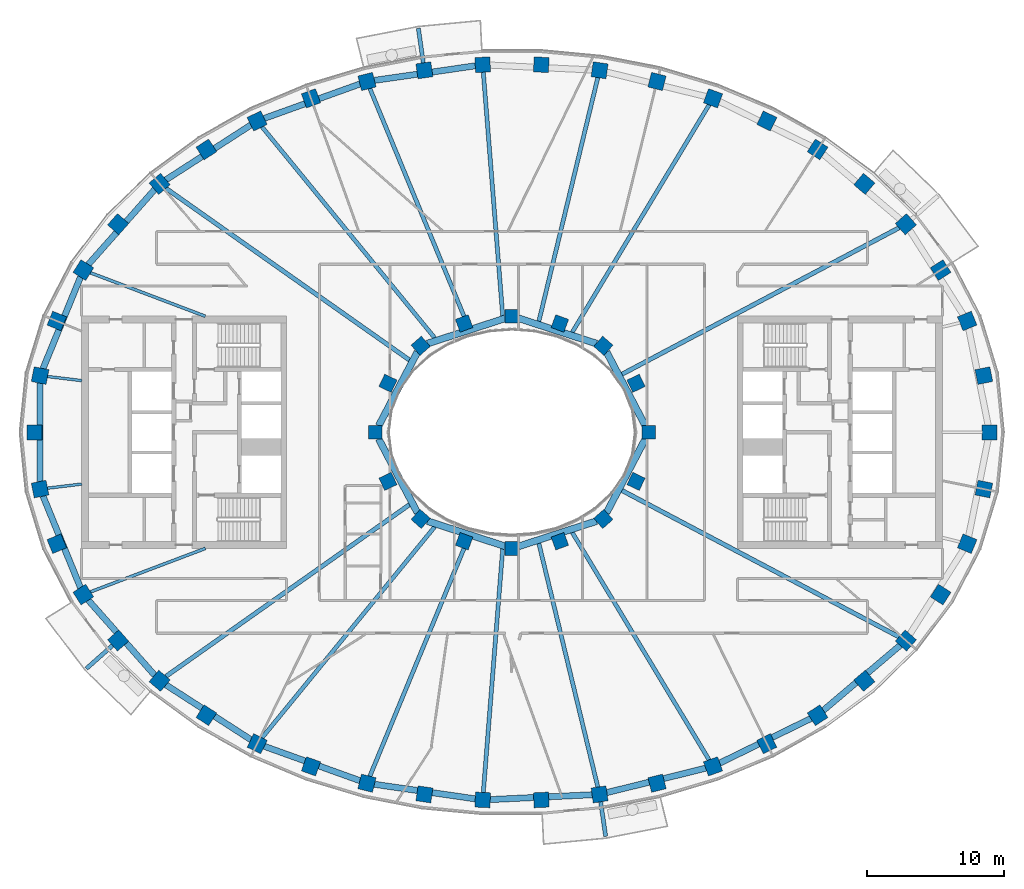
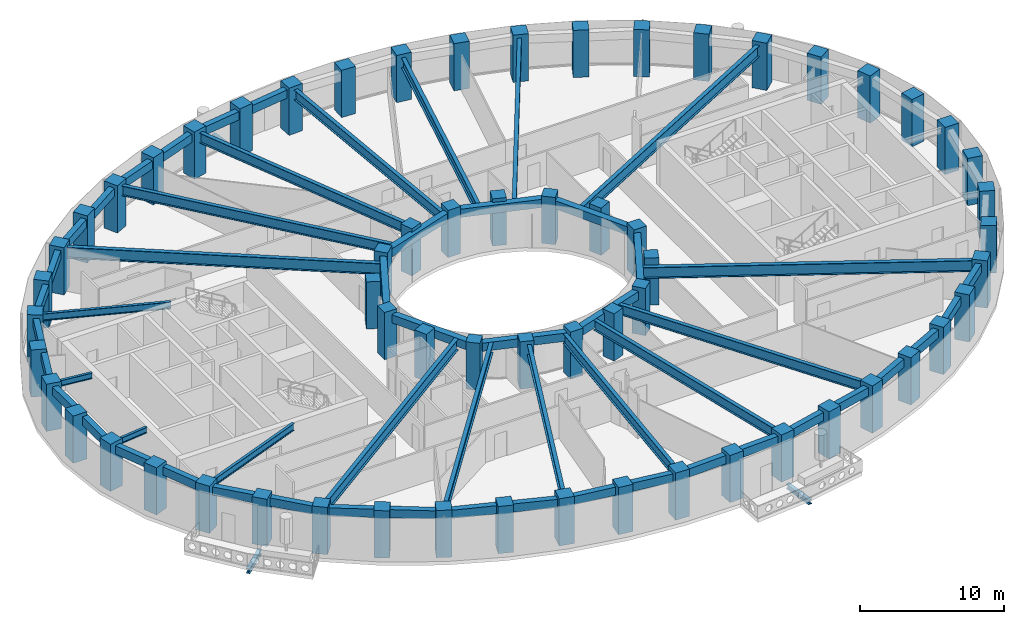
# One storey, part 1 of 16: 62 columns, 44 beams.
"""IFC4 building model written with IfcOpenShell, lengths in metres."""

import ifcopenshell
import ifcopenshell.guid

model = None  # the IFC model being written
_history = None  # IfcOwnerHistory: only IFC2X3 demands one
_inside = {}  # id of a spatial element -> (the spatial element, [elements in it])
_under = {}  # id of a project, library or spatial element -> (it, [spatial elements below it])
_declared = {}  # id of a project -> (the project, [libraries it declares])
_typed = {}  # id of a type object -> (the type object, [elements of that type])
_made_of = {}  # id of a material, layer set ... -> (it, [elements and type objects made of it])


def new_model(schema):
    """Start an empty IFC model of exactly this schema.

    Asked for "IFC4X3", IfcOpenShell would pick the latest addendum, in which some entities
    have other attributes; the version numbers below select the first issue.
    IFC2X3 requires an IfcOwnerHistory on every rooted entity: one is made here for all.
    """
    global model, _history
    if schema == "IFC4X3":
        model = ifcopenshell.file(schema_version=(4, 3, 0, 0))
    else:
        model = ifcopenshell.file(schema=schema)
    _inside.clear()
    _under.clear()
    _declared.clear()
    _typed.clear()
    _made_of.clear()
    _history = None
    if model.schema == "IFC2X3":
        org = make("IfcOrganization", Name="unknown")
        user = make(
            "IfcPersonAndOrganization",
            ThePerson=make("IfcPerson", FamilyName="unknown"),
            TheOrganization=org,
        )
        app = make(
            "IfcApplication",
            ApplicationDeveloper=org,
            Version="unknown",
            ApplicationFullName="unknown",
            ApplicationIdentifier="unknown",
        )
        _history = make(
            "IfcOwnerHistory",
            OwningUser=user,
            OwningApplication=app,
            ChangeAction="ADDED",
            CreationDate=0,
        )
    return model


def make(cls, **values):
    """One entity of the class cls with the attributes given. An attribute that is None is left unset."""
    return model.create_entity(
        cls, **{name: value for name, value in values.items() if value is not None}
    )


def rooted(cls, **values):
    """An entity with a GlobalId (a new one), such as an element, a storey or a relation."""
    return make(cls, GlobalId=ifcopenshell.guid.new(), OwnerHistory=_history, **values)


def si_unit(unit_type, name, prefix=None):
    """IfcSIUnit, for example si_unit("LENGTHUNIT", "METRE", prefix="MILLI")."""
    return make("IfcSIUnit", UnitType=unit_type, Prefix=prefix, Name=name)


def assignment(units):
    """IfcUnitAssignment: the units of a project."""
    return None if units is None else make("IfcUnitAssignment", Units=units)


def point(xyz):
    """IfcCartesianPoint."""
    return None if xyz is None else make("IfcCartesianPoint", Coordinates=xyz)


def direction(xyz):
    """IfcDirection."""
    return None if xyz is None else make("IfcDirection", DirectionRatios=xyz)


def frame(location, z_axis=None, x_axis=None):
    """IfcAxis2Placement3D, a coordinate frame: its origin and axes. An axis left out is left unset."""
    return make(
        "IfcAxis2Placement3D",
        Location=point(location),
        Axis=direction(z_axis),
        RefDirection=direction(x_axis),
    )


def frame_2d(location, x_axis=None):
    """IfcAxis2Placement2D, a coordinate frame in the plane: its origin and x axis."""
    return make(
        "IfcAxis2Placement2D", Location=point(location), RefDirection=direction(x_axis)
    )


def origin():
    """The frame at (0, 0, 0) with its axes left unset."""
    return frame((0.0, 0.0, 0.0))


def origin_2d():
    """The frame at (0, 0) in the plane with its x axis left unset."""
    return frame_2d((0.0, 0.0))


def place(relative_to, where):
    """IfcLocalPlacement: puts the frame where relative to a parent placement (None: the world)."""
    return make(
        "IfcLocalPlacement", PlacementRelTo=relative_to, RelativePlacement=where
    )


def context(
    kind, dimensions, precision=None, world=None, true_north=None, identifier=None
):
    """IfcGeometricRepresentationContext, for example the 3D "Model" context."""
    return make(
        "IfcGeometricRepresentationContext",
        ContextIdentifier=identifier,
        ContextType=kind,
        CoordinateSpaceDimension=dimensions,
        Precision=precision,
        WorldCoordinateSystem=world,
        TrueNorth=true_north,
    )


def subcontext(parent, identifier, kind, view, scale=None):
    """IfcGeometricRepresentationSubContext, for example "Body" below "Model"."""
    return make(
        "IfcGeometricRepresentationSubContext",
        ContextIdentifier=identifier,
        ContextType=kind,
        ParentContext=parent,
        TargetScale=scale,
        TargetView=view,
    )


def project(units=None, contexts=None):
    """IfcProject with its units and contexts."""
    return rooted(
        "IfcProject",
        Name="project",
        RepresentationContexts=contexts,
        UnitsInContext=assignment(units),
    )


def spatial(cls, under=None, at=None, **own):
    """A site, building, storey or space (cls), placed at a placement, below another one or the project."""
    s = rooted(cls, ObjectPlacement=at, **own)
    if under is not None:
        _under.setdefault(under.id(), (under, []))[1].append(s)
    return s


def profile(cls, at=None, kind="AREA", **sizes):
    """A parametric profile (cls). Its sizes go by their IFC names, for example OverallWidth=200.0."""
    return make(cls, ProfileType=kind, Position=at, **sizes)


def rectangle(**sizes):
    """IfcRectangleProfileDef."""
    return profile("IfcRectangleProfileDef", **sizes)


def i_section(**sizes):
    """IfcIShapeProfileDef."""
    return profile("IfcIShapeProfileDef", **sizes)


def extrude(swept, where, along, depth):
    """IfcExtrudedAreaSolid: the profile swept, set in the frame where, extruded along a direction by depth."""
    return make(
        "IfcExtrudedAreaSolid",
        SweptArea=swept,
        Position=where,
        ExtrudedDirection=direction(along),
        Depth=depth,
    )


def shape(context_of_items, identifier, shape_type, items):
    """IfcShapeRepresentation: the items that make up one representation, for example the "Body"."""
    return make(
        "IfcShapeRepresentation",
        ContextOfItems=context_of_items,
        RepresentationIdentifier=identifier,
        RepresentationType=shape_type,
        Items=items,
    )


def material(Name=None, Category=None):
    """IfcMaterial."""
    return make("IfcMaterial", Name=Name, Category=Category)


def material_profile(
    of_material, cross_section, Name=None, Category=None, Priority=None
):
    """IfcMaterialProfile: a cross section and its material."""
    return make(
        "IfcMaterialProfile",
        Name=Name,
        Material=of_material,
        Profile=cross_section,
        Priority=Priority,
        Category=Category,
    )


def profile_set(profiles, Name=None, composite=None):
    """IfcMaterialProfileSet."""
    return make(
        "IfcMaterialProfileSet",
        Name=Name,
        MaterialProfiles=profiles,
        CompositeProfile=composite,
    )


def made_of(thing, what):
    """Note that an element or type object is made of a material, layer set ...; save() writes the relation."""
    if what is not None:
        _made_of.setdefault(what.id(), (what, []))[1].append(thing)
    return thing


def type_object(cls, material=None, **own):
    """A type object (cls), such as IfcWallType, which elements share."""
    return made_of(rooted(cls, **own), material)


def element(
    cls,
    number,
    at=None,
    inside=None,
    cuts=None,
    type_object=None,
    material=None,
    context=None,
    identifier="Body",
    shape_type=None,
    held_by="IfcProductDefinitionShape",
    body=None,
    shapes=None,
    **own,
):
    """One element of the class cls, such as IfcWall. Its Tag is "e" and its number.

    at: its placement. inside: the storey or other place that contains it. cuts: it is an
    opening in that element (IfcRelVoidsElement). A single representation is given by context,
    identifier, shape_type and body (its items); several are given by shapes. held_by: the class
    of the entity that holds the representations. save() writes the other relations.
    """
    e = rooted(cls, Tag="e%d" % number, ObjectPlacement=at, **own)
    if body is not None:
        shapes = [shape(context, identifier, shape_type, body)]
    if shapes is not None:
        e.Representation = make(held_by, Representations=shapes)
    if inside is not None:
        _inside.setdefault(inside.id(), (inside, []))[1].append(e)
    if cuts is not None:
        rooted(
            "IfcRelVoidsElement", RelatingBuildingElement=cuts, RelatedOpeningElement=e
        )
    if type_object is not None:
        _typed.setdefault(type_object.id(), (type_object, []))[1].append(e)
    return made_of(e, material)


def aggregate(whole, parts):
    """IfcRelAggregates: a whole, such as a stair, and the parts it consists of."""
    return rooted("IfcRelAggregates", RelatingObject=whole, RelatedObjects=parts)


def save(model, path):
    """Write the relations noted so far, then the file.

    IfcRelAggregates (storeys below a building ...), IfcRelContainedInSpatialStructure (elements
    in a storey), IfcRelDefinesByType, IfcRelAssociatesMaterial and IfcRelDeclares: one each for
    every whole, place, type object, material and project.
    """
    for whole, parts in _under.values():
        aggregate(whole, parts)
    for where, things in _inside.values():
        rooted(
            "IfcRelContainedInSpatialStructure",
            RelatedElements=things,
            RelatingStructure=where,
        )
    for kind, things in _typed.values():
        rooted("IfcRelDefinesByType", RelatedObjects=things, RelatingType=kind)
    for what, things in _made_of.values():
        rooted("IfcRelAssociatesMaterial", RelatedObjects=things, RelatingMaterial=what)
    for by, libraries in _declared.values():
        rooted("IfcRelDeclares", RelatingContext=by, RelatedDefinitions=libraries)
    model.write(path)


model = new_model("IFC4")

# Units and contexts
model_context = context("Model", 3, precision=1e-05, world=origin(), true_north=direction((0.0, 1.0)))
body_context = subcontext(model_context, "Body", "Model", "MODEL_VIEW")
ifc_project = project(units=[si_unit("LENGTHUNIT", "METRE"), si_unit("AREAUNIT", "SQUARE_METRE"), si_unit("VOLUMEUNIT", "CUBIC_METRE"), si_unit("PLANEANGLEUNIT", "RADIAN"), si_unit("MASSUNIT", "GRAM", prefix="KILO")], contexts=[model_context])

# Site, building, storey
site_placement = place(None, origin())
site = spatial("IfcSite", under=ifc_project, at=site_placement, CompositionType="ELEMENT")
building_placement = place(site_placement, origin())
building = spatial("IfcBuilding", under=site, at=building_placement, Name="Noorbagh Ring Tower", CompositionType="ELEMENT")
storey_placement = place(building_placement, frame((0.0, 0.0, 245.5)))
storey = spatial("IfcBuildingStorey", under=building, at=storey_placement, Name="L51", CompositionType="ELEMENT", Elevation=245.5)

# Columns
ifc_material_1 = material(Name="Concrete C60/75", Category="concrete")
ifc_material_profile_1 = material_profile(ifc_material_1, rectangle(XDim=1.10009765625, YDim=1.10009765625, at=origin_2d()), Name="RC1100x1100")
ifc_profile_set_1 = profile_set([ifc_material_profile_1], Name="Concrete C60/75")
column_type_1 = type_object("IfcColumnType", Name="STR-COL-RC1100x1100-C60-75", PredefinedType="COLUMN", material=ifc_profile_set_1)
for number, where, z_axis, x_axis, name in (
    (1, (34.944580078125, 0.0, 0.0), (0.0, 0.0, 1.0), (0.0, 1.0, 0.0), "L51/col/R1-01"),
    (2, (34.52685546875, 4.150634765625, 0.0), (0.0, 0.0, 1.0), (-0.19723040178, 0.9803571638, 0.0), "L51/col/R1-02"),
    (3, (33.30517578125, 8.1494140625, 0.0), (0.0, 0.0, 1.0), (-0.378989499959, 0.925400971969, 0.0), "L51/col/R1-03"),
    (4, (31.364990234375, 11.87109375, 0.0), (0.0, 0.0, 1.0), (-0.535190403059, 0.844731455833, 0.0), "L51/col/R1-04"),
    (5, (28.81884765625, 15.23046875, 0.0), (0.0, 0.0, 1.0), (-0.662635642662, 0.748941923699, 0.0), "L51/col/R1-05"),
    (6, (25.78271484375, 18.180419921875, 0.0), (0.0, 0.0, 1.0), (-0.763035199656, 0.646356932419, 0.0), "L51/col/R1-06"),
    (7, (22.362060546875, 20.699951171875, 0.0), (0.0, 0.0, 1.0), (-0.840247639643, 0.542202825586, 0.0), "L51/col/R1-07"),
    (8, (18.646240234375, 22.785400390625, 0.0), (0.0, 0.0, 1.0), (-0.898399080868, 0.439180021741, 0.0), "L51/col/R1-08"),
    (9, (14.70947265625, 24.44091796875, 0.0), (0.0, 0.0, 1.0), (-0.941024726094, 0.338337797003, 0.0), "L51/col/R1-09"),
    (10, (10.61328125, 25.673583984375, 0.0), (0.0, 0.0, 1.0), (-0.970829360981, 0.239771457553, 0.0), "L51/col/R1-10"),
    (11, (6.4091796875, 26.49072265625, 0.0), (0.0, 0.0, 1.0), (-0.989713114048, 0.143066249975, 0.0), "L51/col/R1-11"),
    (12, (2.14306640625, 26.89794921875, 0.0), (0.0, 0.0, 1.0), (-0.998868731212, 0.047552684538, 0.0), "L51/col/R1-12"),
    (13, (-2.14306640625, 26.89794921875, 0.0), (0.0, 0.0, 1.0), (-0.998868731212, -0.047552684538, 0.0), "L51/col/R1-13"),
    (14, (-6.4091796875, 26.49072265625, 0.0), (0.0, 0.0, 1.0), (-0.989713114048, -0.143066249975, 0.0), "L51/col/R1-14"),
    (15, (-10.61328125, 25.673583984375, 0.0), (0.0, 0.0, 1.0), (-0.970829360981, -0.239771457553, 0.0), "L51/col/R1-15"),
    (16, (-14.70947265625, 24.44091796875, 0.0), (0.0, 0.0, 1.0), (-0.941024726094, -0.338337797003, 0.0), "L51/col/R1-16"),
    (17, (-18.646240234375, 22.785400390625, 0.0), (0.0, 0.0, 1.0), (-0.898399080868, -0.439180021741, 0.0), "L51/col/R1-17"),
    (18, (-22.362060546875, 20.699951171875, 0.0), (0.0, 0.0, 1.0), (-0.840247639643, -0.542202825586, 0.0), "L51/col/R1-18"),
    (19, (-25.78271484375, 18.180419921875, 0.0), (0.0, 0.0, 1.0), (-0.763035199656, -0.646356932419, 0.0), "L51/col/R1-19"),
    (20, (-28.81884765625, 15.23046875, 0.0), (0.0, 0.0, 1.0), (-0.662635642662, -0.748941923699, 0.0), "L51/col/R1-20"),
    (21, (-31.364990234375, 11.87109375, 0.0), (0.0, 0.0, 1.0), (-0.535190403059, -0.844731455833, 0.0), "L51/col/R1-21"),
    (22, (-33.30517578125, 8.1494140625, 0.0), (0.0, 0.0, 1.0), (-0.378989499959, -0.925400971969, 0.0), "L51/col/R1-22"),
    (23, (-34.52685546875, 4.150634765625, 0.0), (0.0, 0.0, 1.0), (-0.19723040178, -0.9803571638, 0.0), "L51/col/R1-23"),
    (24, (-34.944580078125, 0.0, 0.0), (0.0, 0.0, 1.0), (0.0, -1.0, 0.0), "L51/col/R1-24"),
    (25, (-34.52685546875, -4.150634765625, 0.0), (0.0, 0.0, 1.0), (0.19723040178, -0.9803571638, 0.0), "L51/col/R1-25"),
    (26, (-33.30517578125, -8.1494140625, 0.0), (0.0, 0.0, 1.0), (0.378989499959, -0.925400971969, 0.0), "L51/col/R1-26"),
    (27, (-31.364990234375, -11.87109375, 0.0), (0.0, 0.0, 1.0), (0.535190403059, -0.844731455833, 0.0), "L51/col/R1-27"),
    (28, (-28.81884765625, -15.23046875, 0.0), (0.0, 0.0, 1.0), (0.662635642662, -0.748941923699, 0.0), "L51/col/R1-28"),
    (29, (-25.78271484375, -18.180419921875, 0.0), (0.0, 0.0, 1.0), (0.763035199656, -0.646356932419, 0.0), "L51/col/R1-29"),
    (30, (-22.362060546875, -20.699951171875, 0.0), (0.0, 0.0, 1.0), (0.840247639643, -0.542202825586, 0.0), "L51/col/R1-30"),
    (31, (-18.646240234375, -22.785400390625, 0.0), (0.0, 0.0, 1.0), (0.898399080868, -0.439180021741, 0.0), "L51/col/R1-31"),
    (32, (-14.70947265625, -24.44091796875, 0.0), (0.0, 0.0, 1.0), (0.941024726094, -0.338337797003, 0.0), "L51/col/R1-32"),
    (33, (-10.61328125, -25.673583984375, 0.0), (0.0, 0.0, 1.0), (0.970829360981, -0.239771457553, 0.0), "L51/col/R1-33"),
    (34, (-6.4091796875, -26.49072265625, 0.0), (0.0, 0.0, 1.0), (0.989713114048, -0.143066249975, 0.0), "L51/col/R1-34"),
    (35, (-2.14306640625, -26.89794921875, 0.0), (0.0, 0.0, 1.0), (0.998868731212, -0.047552684538, 0.0), "L51/col/R1-35"),
    (36, (2.14306640625, -26.89794921875, 0.0), (0.0, 0.0, 1.0), (0.998868731212, 0.047552684538, 0.0), "L51/col/R1-36"),
    (37, (6.4091796875, -26.49072265625, 0.0), (0.0, 0.0, 1.0), (0.989713114048, 0.143066249975, 0.0), "L51/col/R1-37"),
    (38, (10.61328125, -25.673583984375, 0.0), (0.0, 0.0, 1.0), (0.970829360981, 0.239771457553, 0.0), "L51/col/R1-38"),
    (39, (14.70947265625, -24.44091796875, 0.0), (0.0, 0.0, 1.0), (0.941024726094, 0.338337797003, 0.0), "L51/col/R1-39"),
    (40, (18.646240234375, -22.785400390625, 0.0), (0.0, 0.0, 1.0), (0.898399080868, 0.439180021741, 0.0), "L51/col/R1-40"),
    (41, (22.362060546875, -20.699951171875, 0.0), (0.0, 0.0, 1.0), (0.840247639643, 0.542202825586, 0.0), "L51/col/R1-41"),
    (42, (25.78271484375, -18.180419921875, 0.0), (0.0, 0.0, 1.0), (0.763035199656, 0.646356932419, 0.0), "L51/col/R1-42"),
    (43, (28.81884765625, -15.23046875, 0.0), (0.0, 0.0, 1.0), (0.662635642662, 0.748941923699, 0.0), "L51/col/R1-43"),
    (44, (31.364990234375, -11.87109375, 0.0), (0.0, 0.0, 1.0), (0.535190403059, 0.844731455833, 0.0), "L51/col/R1-44"),
    (45, (33.30517578125, -8.1494140625, 0.0), (0.0, 0.0, 1.0), (0.378989499959, 0.925400971969, 0.0), "L51/col/R1-45"),
    (46, (34.52685546875, -4.150634765625, 0.0), (0.0, 0.0, 1.0), (0.19723040178, 0.9803571638, 0.0), "L51/col/R1-46"),
):
    element("IfcColumn", number, at=place(storey_placement, frame(where, z_axis=z_axis, x_axis=x_axis)), inside=storey, type_object=column_type_1, Name=name, PredefinedType="COLUMN", context=body_context, shape_type="SweptSolid", body=[
        extrude(rectangle(XDim=1.10009765625, YDim=1.10009765625, at=origin_2d()), origin(), (0.0, 0.0, 1.0), 4.0),
    ])
ifc_material_2 = material(Name="Concrete C60/75", Category="concrete")
ifc_material_profile_2 = material_profile(ifc_material_2, rectangle(XDim=1.0, YDim=1.0, at=origin_2d()), Name="RC1000x1000")
ifc_profile_set_2 = profile_set([ifc_material_profile_2], Name="Concrete C60/75")
column_type_2 = type_object("IfcColumnType", Name="STR-ICOL-RC1000x1000-C60-75", PredefinedType="COLUMN", material=ifc_profile_set_2)
for number, where, z_axis, x_axis, name in (
    (47, (10.00830078125, 0.0, 0.0), (0.0, 0.0, 1.0), (0.0, 1.0, 0.0), "L51/col/IR2-W01"),
    (48, (9.07568359375, 3.58837890625, 0.0), (0.0, 0.0, 1.0), (-0.428666979171, 0.903462573087, 0.0), "L51/col/IR2-W03"),
    (49, (6.68212890625, 6.333740234375, 0.0), (0.0, 0.0, 1.0), (-0.75102249095, 0.660276622399, 0.0), "L51/col/IR2-W05"),
    (50, (3.5009765625, 7.967041015625, 0.0), (0.0, 0.0, 1.0), (-0.939019578916, 0.343863679984, 0.0), "L51/col/IR2-W07"),
    (51, (0.0, 8.5029296875, 0.0), (0.0, 0.0, 1.0), (-1.0, 0.0, 0.0), "L51/col/IR2-W09"),
    (52, (-3.5009765625, 7.967041015625, 0.0), (0.0, 0.0, 1.0), (-0.939019578916, -0.343863679984, 0.0), "L51/col/IR2-W11"),
    (53, (-6.68212890625, 6.333740234375, 0.0), (0.0, 0.0, 1.0), (-0.75102249095, -0.660276622399, 0.0), "L51/col/IR2-W13"),
    (54, (-9.07568359375, 3.58837890625, 0.0), (0.0, 0.0, 1.0), (-0.428666979171, -0.903462573087, 0.0), "L51/col/IR2-W15"),
    (55, (-10.00830078125, 0.0, 0.0), (0.0, 0.0, 1.0), (0.0, -1.0, 0.0), "L51/col/IR2-W17"),
    (56, (-9.07568359375, -3.58837890625, 0.0), (0.0, 0.0, 1.0), (0.428666979171, -0.903462573087, 0.0), "L51/col/IR2-W19"),
    (57, (-6.68212890625, -6.333740234375, 0.0), (0.0, 0.0, 1.0), (0.75102249095, -0.660276622399, 0.0), "L51/col/IR2-W21"),
    (58, (-3.5009765625, -7.967041015625, 0.0), (0.0, 0.0, 1.0), (0.939019578916, -0.343863679984, 0.0), "L51/col/IR2-W23"),
    (59, (0.0, -8.5029296875, 0.0), (0.0, 0.0, 1.0), (1.0, 0.0, 0.0), "L51/col/IR2-W25"),
    (60, (3.5009765625, -7.967041015625, 0.0), (0.0, 0.0, 1.0), (0.939019578916, 0.343863679984, 0.0), "L51/col/IR2-W27"),
    (61, (6.68212890625, -6.333740234375, 0.0), (0.0, 0.0, 1.0), (0.75102249095, 0.660276622399, 0.0), "L51/col/IR2-W29"),
    (62, (9.07568359375, -3.58837890625, 0.0), (0.0, 0.0, 1.0), (0.428666979171, 0.903462573087, 0.0), "L51/col/IR2-W31"),
):
    element("IfcColumn", number, at=place(storey_placement, frame(where, z_axis=z_axis, x_axis=x_axis)), inside=storey, type_object=column_type_2, Name=name, PredefinedType="COLUMN", context=body_context, shape_type="SweptSolid", body=[
        extrude(rectangle(XDim=1.0, YDim=1.0, at=origin_2d()), origin(), (0.0, 0.0, 1.0), 4.0),
    ])

# Beams
ifc_material_3 = material(Name="Steel S355", Category="steel")
ifc_material_profile_3 = material_profile(ifc_material_3, i_section(OverallWidth=0.300048828125, OverallDepth=0.39990234375, WebThickness=0.013427734375, FlangeThickness=0.02392578125, FilletRadius=0.027099609375, at=origin_2d()), Name="HEB400")
ifc_profile_set_3 = profile_set([ifc_material_profile_3], Name="Steel S355")
beam_type_1 = type_object("IfcBeamType", Name="STR-BALCONY-BRACKET-HEB400", PredefinedType="BEAM", material=ifc_profile_set_3)
beam_1_placement = place(storey_placement, frame((-6.485107421875, 27.015380859375, -0.5), z_axis=(-0.143041289678, 0.989716721819, 0.0), x_axis=(-0.989716721819, -0.143041289678, 0.0)))
element("IfcBeam", 63, at=beam_1_placement, inside=storey, type_object=beam_type_1, Name="Balcony bracket beam BN04", PredefinedType="BEAM", context=body_context, shape_type="SweptSolid", body=[
    extrude(i_section(OverallWidth=0.300048828125, OverallDepth=0.39990234375, WebThickness=0.013427734375, FlangeThickness=0.02392578125, FilletRadius=0.027099609375, at=origin_2d()), origin(), (0.0, 0.0, 1.0), 2.57373046875),
])
beam_2_placement = place(storey_placement, frame((-29.2158203125, -15.58154296875, -0.5), z_axis=(-0.749036305026, -0.662528953144, 0.0), x_axis=(0.662528953144, -0.749036305026, 0.0)))
element("IfcBeam", 64, at=beam_2_placement, inside=storey, type_object=beam_type_1, Name="Balcony bracket beam BS01", PredefinedType="BEAM", context=body_context, shape_type="SweptSolid", body=[
    extrude(i_section(OverallWidth=0.300048828125, OverallDepth=0.39990234375, WebThickness=0.013427734375, FlangeThickness=0.02392578125, FilletRadius=0.027099609375, at=origin_2d()), origin(), (0.0, 0.0, 1.0), 2.57958984375),
])
beam_3_placement = place(storey_placement, frame((6.485107421875, -27.015380859375, -0.5), z_axis=(0.143041289678, -0.989716721819, 0.0), x_axis=(0.989716721819, 0.143041289678, 0.0)))
element("IfcBeam", 65, at=beam_3_placement, inside=storey, type_object=beam_type_1, Name="Balcony bracket beam BS04", PredefinedType="BEAM", context=body_context, shape_type="SweptSolid", body=[
    extrude(i_section(OverallWidth=0.300048828125, OverallDepth=0.39990234375, WebThickness=0.013427734375, FlangeThickness=0.02392578125, FilletRadius=0.027099609375, at=origin_2d()), origin(), (0.0, 0.0, 1.0), 2.57373046875),
])
ifc_material_4 = material(Name="Steel S355", Category="steel")
ifc_material_profile_4 = material_profile(ifc_material_4, i_section(OverallWidth=0.199951171875, OverallDepth=0.5, WebThickness=0.01025390625, FlangeThickness=0.01611328125, FilletRadius=0.02099609375, at=origin_2d()), Name="IPE500")
ifc_profile_set_4 = profile_set([ifc_material_profile_4], Name="Steel S355")
beam_type_2 = type_object("IfcBeamType", Name="STR-RAD-IPE500", PredefinedType="BEAM", material=ifc_profile_set_4)
for number, where, z_axis, x_axis, name in (
    (66, (-33.998779296875, 4.087158203125, 3.449951171875), (0.992853137385, -0.119342564013, 0.0), (0.119342564013, 0.992853137385, 0.0), "L51/bm/RD23"),
    (67, (-33.998779296875, -4.087158203125, 3.449951171875), (0.992853137385, 0.119342564013, 0.0), (-0.119342564013, 0.992853137385, 0.0), "L51/bm/RD25"),
):
    element("IfcBeam", number, at=place(storey_placement, frame(where, z_axis=z_axis, x_axis=x_axis)), inside=storey, type_object=beam_type_2, Name=name, PredefinedType="BEAM", context=body_context, shape_type="SweptSolid", body=[
        extrude(i_section(OverallWidth=0.199951171875, OverallDepth=0.5, WebThickness=0.01025390625, FlangeThickness=0.01611328125, FilletRadius=0.02099609375, at=origin_2d()), origin(), (0.0, 0.0, 1.0), 2.53662109375),
    ])
ifc_material_5 = material(Name="Steel S355", Category="steel")
ifc_material_profile_5 = material_profile(ifc_material_5, i_section(OverallWidth=0.219970703125, OverallDepth=0.60009765625, WebThickness=0.011962890625, FlangeThickness=0.01904296875, FilletRadius=0.02392578125, at=origin_2d()), Name="IPE600")
ifc_profile_set_5 = profile_set([ifc_material_profile_5], Name="Steel S355")
beam_type_3 = type_object("IfcBeamType", Name="STR-RAD-IPE600", PredefinedType="BEAM", material=ifc_profile_set_5)
for number, where, z_axis, x_axis, name in (
    (68, (-30.858642578125, 11.67919921875, 3.39990234375), (0.935259323835, -0.353963270948, 0.0), (0.353963270948, 0.935259323835, 0.0), "L51/bm/RD21"),
    (69, (-30.858642578125, -11.67919921875, 3.39990234375), (0.935259323835, 0.353963270948, 0.0), (-0.353963270948, 0.935259323835, 0.0), "L51/bm/RD27"),
):
    element("IfcBeam", number, at=place(storey_placement, frame(where, z_axis=z_axis, x_axis=x_axis)), inside=storey, type_object=beam_type_3, Name=name, PredefinedType="BEAM", context=body_context, shape_type="SweptSolid", body=[
        extrude(i_section(OverallWidth=0.219970703125, OverallDepth=0.60009765625, WebThickness=0.011962890625, FlangeThickness=0.01904296875, FilletRadius=0.02392578125, at=origin_2d()), origin(), (0.0, 0.0, 1.0), 9.001708984375),
    ])
ifc_material_6 = material(Name="Steel S355", Category="steel")
ifc_material_profile_6 = material_profile(ifc_material_6, i_section(OverallWidth=0.300048828125, OverallDepth=0.85009765625, WebThickness=0.013916015625, FlangeThickness=0.028076171875, at=origin_2d()), Name="PG850x300x14x28")
ifc_profile_set_6 = profile_set([ifc_material_profile_6], Name="Steel S355")
beam_type_4 = type_object("IfcBeamType", Name="STR-RAD-PG850x300x14x28", PredefinedType="BEAM", material=ifc_profile_set_6)
beam_4_placement = place(storey_placement, frame((14.4306640625, 23.9775390625, 3.27490234375), z_axis=(-0.515652889643, -0.856797582514, 0.0), x_axis=(0.856797582514, -0.515652889643, 0.0)))
element("IfcBeam", 70, at=beam_4_placement, inside=storey, type_object=beam_type_4, Name="L51/bm/RD09", PredefinedType="BEAM", context=body_context, shape_type="SweptSolid", body=[
    extrude(i_section(OverallWidth=0.300048828125, OverallDepth=0.85009765625, WebThickness=0.013916015625, FlangeThickness=0.028076171875, at=origin_2d()), origin(), (0.0, 0.0, 1.0), 19.4462890625),
])
beam_5_placement = place(storey_placement, frame((6.283935546875, 25.973388671875, 3.27490234375), z_axis=(-0.235149899609, -0.971959116791, 0.0), x_axis=(0.971959116791, -0.235149899609, 0.0)))
element("IfcBeam", 71, at=beam_5_placement, inside=storey, type_object=beam_type_4, Name="L51/bm/RD11", PredefinedType="BEAM", context=body_context, shape_type="SweptSolid", body=[
    extrude(i_section(OverallWidth=0.300048828125, OverallDepth=0.85009765625, WebThickness=0.013916015625, FlangeThickness=0.028076171875, at=origin_2d()), origin(), (0.0, 0.0, 1.0), 18.380859375),
])
beam_6_placement = place(storey_placement, frame((-2.10107421875, 26.369384765625, 3.27490234375), z_axis=(0.079428656786, -0.996840553189, 0.0), x_axis=(0.996840553189, 0.079428656786, 0.0)))
element("IfcBeam", 72, at=beam_6_placement, inside=storey, type_object=beam_type_4, Name="L51/bm/RD13", PredefinedType="BEAM", context=body_context, shape_type="SweptSolid", body=[
    extrude(i_section(OverallWidth=0.300048828125, OverallDepth=0.85009765625, WebThickness=0.013916015625, FlangeThickness=0.028076171875, at=origin_2d()), origin(), (0.0, 0.0, 1.0), 17.9013671875),
])
beam_7_placement = place(storey_placement, frame((-10.408447265625, 25.177978515625, 3.27490234375), z_axis=(0.382042222752, -0.924144869614, 0.0), x_axis=(0.924144869614, 0.382042222752, 0.0)))
element("IfcBeam", 73, at=beam_7_placement, inside=storey, type_object=beam_type_4, Name="L51/bm/RD15", PredefinedType="BEAM", context=body_context, shape_type="SweptSolid", body=[
    extrude(i_section(OverallWidth=0.300048828125, OverallDepth=0.85009765625, WebThickness=0.013916015625, FlangeThickness=0.028076171875, at=origin_2d()), origin(), (0.0, 0.0, 1.0), 18.901611328125),
])
for number, where, z_axis, x_axis, name in (
    (74, (-18.301025390625, 22.363525390625, 3.27490234375), (0.633313689008, -0.773895194012, 0.0), (0.773895194012, 0.633313689008, 0.0), "L51/bm/RD17"),
    (75, (-18.301025390625, -22.363525390625, 3.27490234375), (0.633313689008, 0.773895194012, 0.0), (-0.773895194012, 0.633313689008, 0.0), "L51/bm/RD31"),
):
    element("IfcBeam", number, at=place(storey_placement, frame(where, z_axis=z_axis, x_axis=x_axis)), inside=storey, type_object=beam_type_4, Name=name, PredefinedType="BEAM", context=body_context, shape_type="SweptSolid", body=[
        extrude(i_section(OverallWidth=0.300048828125, OverallDepth=0.85009765625, WebThickness=0.013916015625, FlangeThickness=0.028076171875, at=origin_2d()), origin(), (0.0, 0.0, 1.0), 19.968017578125),
    ])
beam_8_placement = place(storey_placement, frame((-10.408447265625, -25.177978515625, 3.27490234375), z_axis=(0.382042222752, 0.924144869614, 0.0), x_axis=(-0.924144869614, 0.382042222752, 0.0)))
element("IfcBeam", 76, at=beam_8_placement, inside=storey, type_object=beam_type_4, Name="L51/bm/RD33", PredefinedType="BEAM", context=body_context, shape_type="SweptSolid", body=[
    extrude(i_section(OverallWidth=0.300048828125, OverallDepth=0.85009765625, WebThickness=0.013916015625, FlangeThickness=0.028076171875, at=origin_2d()), origin(), (0.0, 0.0, 1.0), 18.901611328125),
])
beam_9_placement = place(storey_placement, frame((-2.10107421875, -26.369384765625, 3.27490234375), z_axis=(0.079428656786, 0.996840553189, 0.0), x_axis=(-0.996840553189, 0.079428656786, 0.0)))
element("IfcBeam", 77, at=beam_9_placement, inside=storey, type_object=beam_type_4, Name="L51/bm/RD35", PredefinedType="BEAM", context=body_context, shape_type="SweptSolid", body=[
    extrude(i_section(OverallWidth=0.300048828125, OverallDepth=0.85009765625, WebThickness=0.013916015625, FlangeThickness=0.028076171875, at=origin_2d()), origin(), (0.0, 0.0, 1.0), 17.9013671875),
])
beam_10_placement = place(storey_placement, frame((6.283935546875, -25.973388671875, 3.27490234375), z_axis=(-0.235149899609, 0.971959116791, 0.0), x_axis=(-0.971959116791, -0.235149899609, 0.0)))
element("IfcBeam", 78, at=beam_10_placement, inside=storey, type_object=beam_type_4, Name="L51/bm/RD37", PredefinedType="BEAM", context=body_context, shape_type="SweptSolid", body=[
    extrude(i_section(OverallWidth=0.300048828125, OverallDepth=0.85009765625, WebThickness=0.013916015625, FlangeThickness=0.028076171875, at=origin_2d()), origin(), (0.0, 0.0, 1.0), 18.380859375),
])
beam_11_placement = place(storey_placement, frame((14.4306640625, -23.9775390625, 3.27490234375), z_axis=(-0.515652889643, 0.856797582514, 0.0), x_axis=(-0.856797582514, -0.515652889643, 0.0)))
element("IfcBeam", 79, at=beam_11_placement, inside=storey, type_object=beam_type_4, Name="L51/bm/RD39", PredefinedType="BEAM", context=body_context, shape_type="SweptSolid", body=[
    extrude(i_section(OverallWidth=0.300048828125, OverallDepth=0.85009765625, WebThickness=0.013916015625, FlangeThickness=0.028076171875, at=origin_2d()), origin(), (0.0, 0.0, 1.0), 19.4462890625),
])
ifc_material_7 = material(Name="Steel S355", Category="steel")
ifc_material_profile_7 = material_profile(ifc_material_7, i_section(OverallWidth=0.320068359375, OverallDepth=0.949951171875, WebThickness=0.01611328125, FlangeThickness=0.030029296875, at=origin_2d()), Name="PG950x320x16x30")
ifc_profile_set_7 = profile_set([ifc_material_profile_7], Name="Steel S355")
beam_type_5 = type_object("IfcBeamType", Name="STR-RAD-PG950x320x16x30", PredefinedType="BEAM", material=ifc_profile_set_7)
beam_12_placement = place(storey_placement, frame((28.336181640625, 14.975341796875, 3.22509765625), z_axis=(-0.884128075717, -0.467244631567, 0.0), x_axis=(0.467244631567, -0.884128075717, 0.0)))
element("IfcBeam", 80, at=beam_12_placement, inside=storey, type_object=beam_type_5, Name="L51/bm/RD05", PredefinedType="BEAM", context=body_context, shape_type="SweptSolid", body=[
    extrude(i_section(OverallWidth=0.320068359375, OverallDepth=0.949951171875, WebThickness=0.01611328125, FlangeThickness=0.030029296875, at=origin_2d()), origin(), (0.0, 0.0, 1.0), 22.959228515625),
])
for number, where, z_axis, x_axis, name in (
    (81, (-25.334716796875, 17.864501953125, 3.22509765625), (0.81725475763, -0.576276549176, 0.0), (0.576276549176, 0.81725475763, 0.0), "L51/bm/RD19"),
    (82, (-25.334716796875, -17.864501953125, 3.22509765625), (0.81725475763, 0.576276549176, 0.0), (-0.576276549176, 0.81725475763, 0.0), "L51/bm/RD29"),
):
    element("IfcBeam", number, at=place(storey_placement, frame(where, z_axis=z_axis, x_axis=x_axis)), inside=storey, type_object=beam_type_5, Name=name, PredefinedType="BEAM", context=body_context, shape_type="SweptSolid", body=[
        extrude(i_section(OverallWidth=0.320068359375, OverallDepth=0.949951171875, WebThickness=0.01611328125, FlangeThickness=0.030029296875, at=origin_2d()), origin(), (0.0, 0.0, 1.0), 21.830810546875),
    ])
beam_13_placement = place(storey_placement, frame((28.336181640625, -14.975341796875, 3.22509765625), z_axis=(-0.884128075717, 0.467244631567, 0.0), x_axis=(-0.467244631567, -0.884128075717, 0.0)))
element("IfcBeam", 83, at=beam_13_placement, inside=storey, type_object=beam_type_5, Name="L51/bm/RD43", PredefinedType="BEAM", context=body_context, shape_type="SweptSolid", body=[
    extrude(i_section(OverallWidth=0.320068359375, OverallDepth=0.949951171875, WebThickness=0.01611328125, FlangeThickness=0.030029296875, at=origin_2d()), origin(), (0.0, 0.0, 1.0), 22.959228515625),
])
ifc_material_8 = material(Name="Concrete C40/50", Category="concrete")
ifc_material_profile_8 = material_profile(ifc_material_8, rectangle(XDim=0.5, YDim=0.699951171875, at=origin_2d()), Name="RC500x700")
ifc_profile_set_8 = profile_set([ifc_material_profile_8], Name="Concrete C40/50")
beam_type_6 = type_object("IfcBeamType", Name="STR-RB-RC500x700-C40-50", PredefinedType="BEAM", material=ifc_profile_set_8)
beam_14_placement = place(storey_placement, frame((9.755126953125, 0.482177734375, 3.35009765625), z_axis=(-0.464928900722, 0.885348020427, 0.0), x_axis=(-0.885348020427, -0.464928900722, 0.0)))
element("IfcBeam", 84, at=beam_14_placement, inside=storey, type_object=beam_type_6, Name="L51/bm/RG01", PredefinedType="BEAM", context=body_context, shape_type="SweptSolid", body=[
    extrude(rectangle(XDim=0.5, YDim=0.699951171875, at=origin_2d()), origin(), (0.0, 0.0, 1.0), 6.093994140625),
])
for number, where, z_axis, x_axis, name in (
    (85, (6.183349609375, 6.495849609375, 3.35009765625), (-0.951154000484, 0.30871680771, 0.0), (-0.30871680771, -0.951154000484, 0.0), "L51/bm/RG03"),
    (86, (-0.48095703125, 8.3466796875, 3.35009765625), (-0.951154000484, -0.30871680771, 0.0), (0.30871680771, -0.951154000484, 0.0), "L51/bm/RG05"),
):
    element("IfcBeam", number, at=place(storey_placement, frame(where, z_axis=z_axis, x_axis=x_axis)), inside=storey, type_object=beam_type_6, Name=name, PredefinedType="BEAM", context=body_context, shape_type="SweptSolid", body=[
        extrude(rectangle(XDim=0.5, YDim=0.699951171875, at=origin_2d()), origin(), (0.0, 0.0, 1.0), 5.9951171875),
    ])
for number, where, z_axis, x_axis, name in (
    (87, (-6.921875, 5.87744140625, 3.35009765625), (-0.464928900722, -0.885348020427, 0.0), (0.885348020427, -0.464928900722, 0.0), "L51/bm/RG07"),
    (88, (-9.755126953125, -0.482177734375, 3.35009765625), (0.464928900722, -0.885348020427, 0.0), (0.885348020427, 0.464928900722, 0.0), "L51/bm/RG09"),
):
    element("IfcBeam", number, at=place(storey_placement, frame(where, z_axis=z_axis, x_axis=x_axis)), inside=storey, type_object=beam_type_6, Name=name, PredefinedType="BEAM", context=body_context, shape_type="SweptSolid", body=[
        extrude(rectangle(XDim=0.5, YDim=0.699951171875, at=origin_2d()), origin(), (0.0, 0.0, 1.0), 6.093994140625),
    ])
for number, where, z_axis, x_axis, name in (
    (89, (-6.183349609375, -6.495849609375, 3.35009765625), (0.951154000484, -0.30871680771, 0.0), (0.30871680771, 0.951154000484, 0.0), "L51/bm/RG11"),
    (90, (0.48095703125, -8.3466796875, 3.35009765625), (0.951154000484, 0.30871680771, 0.0), (-0.30871680771, 0.951154000484, 0.0), "L51/bm/RG13"),
):
    element("IfcBeam", number, at=place(storey_placement, frame(where, z_axis=z_axis, x_axis=x_axis)), inside=storey, type_object=beam_type_6, Name=name, PredefinedType="BEAM", context=body_context, shape_type="SweptSolid", body=[
        extrude(rectangle(XDim=0.5, YDim=0.699951171875, at=origin_2d()), origin(), (0.0, 0.0, 1.0), 5.9951171875),
    ])
beam_15_placement = place(storey_placement, frame((6.921875, -5.87744140625, 3.35009765625), z_axis=(0.464928900722, 0.885348020427, 0.0), x_axis=(-0.885348020427, 0.464928900722, 0.0)))
element("IfcBeam", 91, at=beam_15_placement, inside=storey, type_object=beam_type_6, Name="L51/bm/RG15", PredefinedType="BEAM", context=body_context, shape_type="SweptSolid", body=[
    extrude(rectangle(XDim=0.5, YDim=0.699951171875, at=origin_2d()), origin(), (0.0, 0.0, 1.0), 6.093994140625),
])
ifc_material_9 = material(Name="Concrete C40/50", Category="concrete")
ifc_material_profile_9 = material_profile(ifc_material_9, rectangle(XDim=0.449951171875, YDim=0.699951171875, at=origin_2d()), Name="RC450x700")
ifc_profile_set_9 = profile_set([ifc_material_profile_9], Name="Concrete C40/50")
beam_type_7 = type_object("IfcBeamType", Name="STR-SB-RC450x700-C40-50", PredefinedType="BEAM", material=ifc_profile_set_9)
beam_16_placement = place(storey_placement, frame((-2.670166015625, 26.82177734375, 3.35009765625), z_axis=(-0.989712214626, -0.143072471915, 0.0), x_axis=(0.143072471915, -0.989712214626, 0.0)))
element("IfcBeam", 92, at=beam_16_placement, inside=storey, type_object=beam_type_7, Name="L51/bm/SP13", PredefinedType="BEAM", context=body_context, shape_type="SweptSolid", body=[
    extrude(rectangle(XDim=0.449951171875, YDim=0.699951171875, at=origin_2d()), origin(), (0.0, 0.0, 1.0), 7.492919921875),
])
beam_17_placement = place(storey_placement, frame((-11.11474609375, 25.493408203125, 3.35009765625), z_axis=(-0.941021072028, -0.338347959947, 0.0), x_axis=(0.338347959947, -0.941021072028, 0.0)))
element("IfcBeam", 93, at=beam_17_placement, inside=storey, type_object=beam_type_7, Name="L51/bm/SP15", PredefinedType="BEAM", context=body_context, shape_type="SweptSolid", body=[
    extrude(rectangle(XDim=0.449951171875, YDim=0.699951171875, at=origin_2d()), origin(), (0.0, 0.0, 1.0), 7.470458984375),
])
beam_18_placement = place(storey_placement, frame((-19.094970703125, 22.495849609375, 3.35009765625), z_axis=(-0.840248806946, -0.542201016622, 0.0), x_axis=(0.542201016622, -0.840248806946, 0.0)))
element("IfcBeam", 94, at=beam_18_placement, inside=storey, type_object=beam_type_7, Name="L51/bm/SP17", PredefinedType="BEAM", context=body_context, shape_type="SweptSolid", body=[
    extrude(rectangle(XDim=0.449951171875, YDim=0.699951171875, at=origin_2d()), origin(), (0.0, 0.0, 1.0), 7.424560546875),
])
beam_19_placement = place(storey_placement, frame((-26.1376953125, 17.779052734375, 3.35009765625), z_axis=(-0.662632637862, -0.748944582222, 0.0), x_axis=(0.748944582222, -0.662632637862, 0.0)))
element("IfcBeam", 95, at=beam_19_placement, inside=storey, type_object=beam_type_7, Name="L51/bm/SP19", PredefinedType="BEAM", context=body_context, shape_type="SweptSolid", body=[
    extrude(rectangle(XDim=0.449951171875, YDim=0.699951171875, at=origin_2d()), origin(), (0.0, 0.0, 1.0), 7.3515625),
])
beam_20_placement = place(storey_placement, frame((-31.569091796875, 11.37255859375, 3.35009765625), z_axis=(-0.378980930271, -0.92540448156, 0.0), x_axis=(0.92540448156, -0.378980930271, 0.0)))
element("IfcBeam", 96, at=beam_20_placement, inside=storey, type_object=beam_type_7, Name="L51/bm/SP21", PredefinedType="BEAM", context=body_context, shape_type="SweptSolid", body=[
    extrude(rectangle(XDim=0.449951171875, YDim=0.699951171875, at=origin_2d()), origin(), (0.0, 0.0, 1.0), 7.263916015625),
])
beam_21_placement = place(storey_placement, frame((-34.52685546875, 3.609619140625, 3.35009765625), z_axis=(0.0, -1.0, 0.0), x_axis=(1.0, 0.0, 0.0)))
element("IfcBeam", 97, at=beam_21_placement, inside=storey, type_object=beam_type_7, Name="L51/bm/SP23", PredefinedType="BEAM", context=body_context, shape_type="SweptSolid", body=[
    extrude(rectangle(XDim=0.449951171875, YDim=0.699951171875, at=origin_2d()), origin(), (0.0, 0.0, 1.0), 7.21923828125),
])
beam_22_placement = place(storey_placement, frame((-34.322021484375, -4.650390625, 3.35009765625), z_axis=(0.378980930271, -0.92540448156, 0.0), x_axis=(0.92540448156, 0.378980930271, 0.0)))
element("IfcBeam", 98, at=beam_22_placement, inside=storey, type_object=beam_type_7, Name="L51/bm/SP25", PredefinedType="BEAM", context=body_context, shape_type="SweptSolid", body=[
    extrude(rectangle(XDim=0.449951171875, YDim=0.699951171875, at=origin_2d()), origin(), (0.0, 0.0, 1.0), 7.263916015625),
])
beam_23_placement = place(storey_placement, frame((-31.009033203125, -12.273193359375, 3.35009765625), z_axis=(0.662632637862, -0.748944582222, 0.0), x_axis=(0.748944582222, 0.662632637862, 0.0)))
element("IfcBeam", 99, at=beam_23_placement, inside=storey, type_object=beam_type_7, Name="L51/bm/SP27", PredefinedType="BEAM", context=body_context, shape_type="SweptSolid", body=[
    extrude(rectangle(XDim=0.449951171875, YDim=0.699951171875, at=origin_2d()), origin(), (0.0, 0.0, 1.0), 7.3515625),
])
beam_24_placement = place(storey_placement, frame((-25.33349609375, -18.47021484375, 3.35009765625), z_axis=(0.840248806946, -0.542201016622, 0.0), x_axis=(0.542201016622, 0.840248806946, 0.0)))
element("IfcBeam", 100, at=beam_24_placement, inside=storey, type_object=beam_type_7, Name="L51/bm/SP29", PredefinedType="BEAM", context=body_context, shape_type="SweptSolid", body=[
    extrude(rectangle(XDim=0.449951171875, YDim=0.699951171875, at=origin_2d()), origin(), (0.0, 0.0, 1.0), 7.424560546875),
])
beam_25_placement = place(storey_placement, frame((-18.14453125, -22.9658203125, 3.35009765625), z_axis=(0.941021072028, -0.338347959947, 0.0), x_axis=(0.338347959947, 0.941021072028, 0.0)))
element("IfcBeam", 101, at=beam_25_placement, inside=storey, type_object=beam_type_7, Name="L51/bm/SP31", PredefinedType="BEAM", context=body_context, shape_type="SweptSolid", body=[
    extrude(rectangle(XDim=0.449951171875, YDim=0.699951171875, at=origin_2d()), origin(), (0.0, 0.0, 1.0), 7.470458984375),
])
beam_26_placement = place(storey_placement, frame((-10.0859375, -25.749755859375, 3.35009765625), z_axis=(0.989712214626, -0.143072471915, 0.0), x_axis=(0.143072471915, 0.989712214626, 0.0)))
element("IfcBeam", 102, at=beam_26_placement, inside=storey, type_object=beam_type_7, Name="L51/bm/SP33", PredefinedType="BEAM", context=body_context, shape_type="SweptSolid", body=[
    extrude(rectangle(XDim=0.449951171875, YDim=0.699951171875, at=origin_2d()), origin(), (0.0, 0.0, 1.0), 7.492919921875),
])
beam_27_placement = place(storey_placement, frame((-1.611328125, -26.87255859375, 3.35009765625), z_axis=(0.998869095319, 0.047545035672, 0.0), x_axis=(-0.047545035672, 0.998869095319, 0.0)))
element("IfcBeam", 103, at=beam_27_placement, inside=storey, type_object=beam_type_7, Name="L51/bm/SP35", PredefinedType="BEAM", context=body_context, shape_type="SweptSolid", body=[
    extrude(rectangle(XDim=0.449951171875, YDim=0.699951171875, at=origin_2d()), origin(), (0.0, 0.0, 1.0), 7.4970703125),
])
beam_28_placement = place(storey_placement, frame((6.926513671875, -26.363037109375, 3.35009765625), z_axis=(0.970829382675, 0.239771369713, 0.0), x_axis=(-0.239771369713, 0.970829382675, 0.0)))
element("IfcBeam", 104, at=beam_28_placement, inside=storey, type_object=beam_type_7, Name="L51/bm/SP37", PredefinedType="BEAM", context=body_context, shape_type="SweptSolid", body=[
    extrude(rectangle(XDim=0.449951171875, YDim=0.699951171875, at=origin_2d()), origin(), (0.0, 0.0, 1.0), 7.48388671875),
])
beam_29_placement = place(storey_placement, frame((15.188720703125, -24.20654296875, 3.35009765625), z_axis=(0.898395566206, 0.43918721136, 0.0), x_axis=(-0.43918721136, 0.898395566206, 0.0)))
element("IfcBeam", 105, at=beam_29_placement, inside=storey, type_object=beam_type_7, Name="L51/bm/SP39", PredefinedType="BEAM", context=body_context, shape_type="SweptSolid", body=[
    extrude(rectangle(XDim=0.449951171875, YDim=0.699951171875, at=origin_2d()), origin(), (0.0, 0.0, 1.0), 7.45068359375),
])
beam_30_placement = place(storey_placement, frame((22.77001953125, -20.354248046875, 3.35009765625), z_axis=(0.763041647575, 0.646349320465, 0.0), x_axis=(-0.646349320465, 0.763041647575, 0.0)))
element("IfcBeam", 106, at=beam_30_placement, inside=storey, type_object=beam_type_7, Name="L51/bm/SP41", PredefinedType="BEAM", context=body_context, shape_type="SweptSolid", body=[
    extrude(rectangle(XDim=0.449951171875, YDim=0.699951171875, at=origin_2d()), origin(), (0.0, 0.0, 1.0), 7.3916015625),
])

save(model, "model.ifc")
